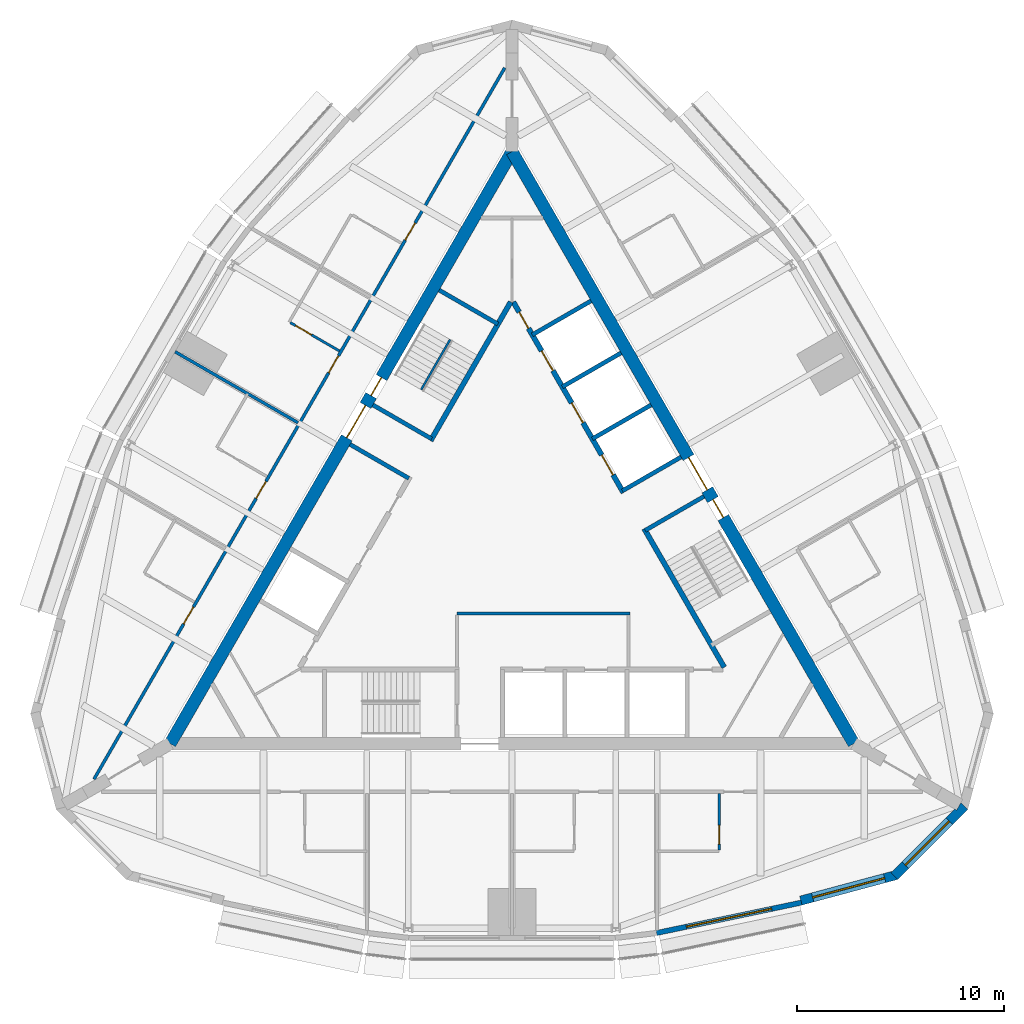
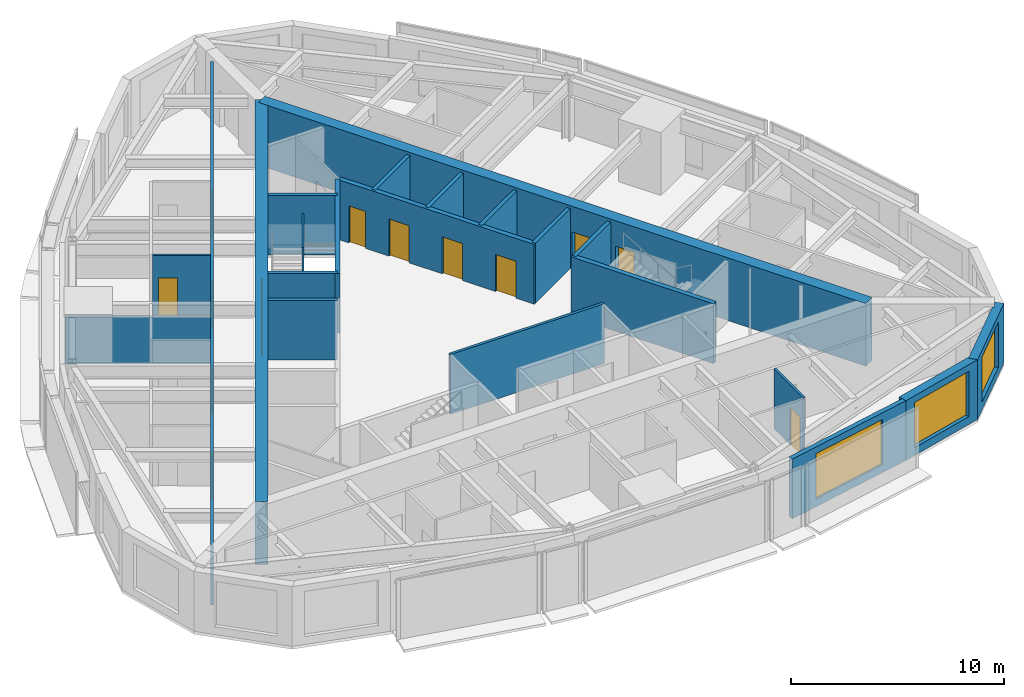
# One storey, part 9 of 12: 22 walls, 14 doors, 3 windows, 17 openings.
"""IFC4 building model written with IfcOpenShell, lengths in metres."""

from ifc_helpers import new_model, si_unit, direction, frame, frame_2d, origin, place, context, subcontext, project, spatial, polyline, rectangle, outline, extrude, material, layer, layer_set, type_object, element, fill, save


model = new_model("IFC4")

# Units and contexts
model_context = context("Model", 3, precision=1e-05, world=origin(), true_north=direction((0.0, 1.0)))
body_context = subcontext(model_context, "Body", "Model", "MODEL_VIEW")
ifc_project = project(units=[si_unit("LENGTHUNIT", "METRE"), si_unit("AREAUNIT", "SQUARE_METRE"), si_unit("VOLUMEUNIT", "CUBIC_METRE"), si_unit("PLANEANGLEUNIT", "RADIAN"), si_unit("MASSUNIT", "GRAM", prefix="KILO")], contexts=[model_context])

# Site, building, storey
site_placement = place(None, origin())
site = spatial("IfcSite", under=ifc_project, at=site_placement, CompositionType="ELEMENT")
building_placement = place(site_placement, origin())
building = spatial("IfcBuilding", under=site, at=building_placement, Name="Trikona Tower", CompositionType="ELEMENT")
storey_placement = place(building_placement, frame((0.0, 0.0, 246.5)))
storey = spatial("IfcBuildingStorey", under=building, at=storey_placement, Name="L65", CompositionType="ELEMENT", Elevation=246.5)

# Wall, opening, door
ifc_material_1 = material(Name="Metal stud and cement board", Category="gypsum")
ifc_layer_1 = layer(ifc_material_1, 0.1201171875)
ifc_layer_set_1 = layer_set([ifc_layer_1], Name="Bathroom wall 120")
wall_type_1 = type_object("IfcWallType", Name="Bathroom wall 120", PredefinedType="PLUMBINGWALL", material=ifc_layer_set_1)
wall_1_placement = place(storey_placement, frame((10.0, -11.92626953125, 0.0), z_axis=(0.0, 0.0, 1.0), x_axis=(0.0, -1.0, 0.0)))
wall_1 = element("IfcWall", 1, at=wall_1_placement, inside=storey, type_object=wall_type_1, Name="Bathroom wall 6503", PredefinedType="PLUMBINGWALL", context=body_context, shape_type="SweptSolid", body=[
    extrude(rectangle(XDim=2.739990234375, YDim=0.1201171875, at=frame_2d((1.3701171875, 0.0))), origin(), (0.0, 0.0, 1.0), 3.43505859375),
])
opening_1_placement = place(wall_1_placement, frame((1.550048828125, 0.0, 0.0)))
opening_1 = element("IfcOpeningElement", 2, at=opening_1_placement, cuts=wall_1, Name="Opening D2", PredefinedType="OPENING", context=body_context, shape_type="SweptSolid", body=[
    extrude(rectangle(XDim=0.89990234375, YDim=2.1298828125, at=frame_2d((0.449951171875, 1.06494140625))), frame((0.0, 0.070068359375, 0.0), z_axis=(0.0, -1.0, 0.0), x_axis=(1.0, 0.0, 0.0)), (0.0, 0.0, 1.0), 0.14013671875),
])
ifc_material_2 = material(Name="Steel door frame with solid-core timber leaf", Category="steel")
door_type_1 = type_object("IfcDoorType", Name="Bathroom door 900x2130", OperationType="SLIDING_TO_LEFT", PredefinedType="DOOR", material=ifc_material_2)
door_1_placement = place(opening_1_placement, origin())
door_1 = element("IfcDoor", 3, at=door_1_placement, inside=storey, type_object=door_type_1, Name="Bathroom door 6503", OperationType="SLIDING_TO_LEFT", OverallHeight=2.1298828125, OverallWidth=0.89990234375, PredefinedType="DOOR", context=body_context, shape_type="SweptSolid", body=[
    extrude(rectangle(XDim=0.89990234375, YDim=2.1298828125, at=frame_2d((0.449951171875, 1.06494140625))), frame((0.0, 0.02490234375, 0.0), z_axis=(0.0, -1.0, 0.0), x_axis=(1.0, 0.0, 0.0)), (0.0, 0.0, 1.0), 0.050048828125),
])
fill(opening_1, door_1)

wall_2_placement = place(storey_placement, frame((-8.32861328125, 9.42724609375, 0.0), z_axis=(0.0, 0.0, 1.0), x_axis=(-0.866035715982, 0.499982138324, 0.0)))
wall_2 = element("IfcWall", 4, at=wall_2_placement, inside=storey, type_object=wall_type_1, Name="Bathroom wall 6507", PredefinedType="PLUMBINGWALL", context=body_context, shape_type="SweptSolid", body=[
    extrude(rectangle(XDim=2.73974609375, YDim=0.1201171875, at=frame_2d((1.369873046875, 0.0))), origin(), (0.0, 0.0, 1.0), 3.43505859375),
])
opening_2_placement = place(wall_2_placement, frame((1.550048828125, 0.0, 0.0)))
opening_2 = element("IfcOpeningElement", 5, at=opening_2_placement, cuts=wall_2, Name="Opening D2", PredefinedType="OPENING", context=body_context, shape_type="SweptSolid", body=[
    extrude(rectangle(XDim=0.89990234375, YDim=2.1298828125, at=frame_2d((0.449951171875, 1.06494140625))), frame((0.0, 0.070068359375, 0.0), z_axis=(0.0, -1.0, 0.0), x_axis=(1.0, 0.0, 0.0)), (0.0, 0.0, 1.0), 0.14013671875),
])
door_2_placement = place(opening_2_placement, origin())
door_2 = element("IfcDoor", 6, at=door_2_placement, inside=storey, type_object=door_type_1, Name="Bathroom door 6507", OperationType="SLIDING_TO_LEFT", OverallHeight=2.1298828125, OverallWidth=0.89990234375, PredefinedType="DOOR", context=body_context, shape_type="SweptSolid", body=[
    extrude(rectangle(XDim=0.89990234375, YDim=2.1298828125, at=frame_2d((0.449951171875, 1.06494140625))), frame((0.0, 0.02490234375, 0.0), z_axis=(0.0, -1.0, 0.0), x_axis=(1.0, 0.0, 0.0)), (0.0, 0.0, 1.0), 0.050048828125),
])
fill(opening_2, door_2)

# Wall, opening, window
ifc_material_3 = material(Name="Brick-faced precast concrete", Category="masonry")
ifc_layer_2 = layer(ifc_material_3, 0.449951171875)
ifc_layer_set_2 = layer_set([ifc_layer_2], Name="Brick-faced corner wall 450")
wall_type_2 = type_object("IfcWallType", Name="Brick-faced corner wall 450", PredefinedType="SOLIDWALL", material=ifc_layer_set_2)
wall_3_placement = place(storey_placement, frame((13.94189453125, -17.103271484375, 0.0), z_axis=(0.0, 0.0, 1.0), x_axis=(0.965913862671, 0.258863689806, 0.0)))
wall_3 = element("IfcWall", 7, at=wall_3_placement, inside=storey, type_object=wall_type_2, Name="External wall L65-05", PredefinedType="SOLIDWALL", context=body_context, shape_type="SweptSolid", body=[
    extrude(rectangle(XDim=4.78173828125, YDim=0.449951171875, at=frame_2d((2.390869140625, 0.0))), origin(), (0.0, 0.0, 1.0), 3.43505859375),
])
opening_3_placement = place(wall_3_placement, frame((0.5908203125, 0.0, 0.449951171875)))
opening_3 = element("IfcOpeningElement", 8, at=opening_3_placement, cuts=wall_3, Name="Opening W3626", PredefinedType="OPENING", context=body_context, shape_type="SweptSolid", body=[
    extrude(rectangle(XDim=3.60009765625, YDim=2.60009765625, at=frame_2d((1.800048828125, 1.300048828125))), frame((0.0, 0.23486328125, 0.0), z_axis=(0.0, -1.0, 0.0), x_axis=(1.0, 0.0, 0.0)), (0.0, 0.0, 1.0), 0.469970703125),
])
ifc_material_4 = material(Name="Aluminium-framed double glazing", Category="aluminium")
window_type_1 = type_object("IfcWindowType", Name="Window 3600x2600", PartitioningType="SINGLE_PANEL", PredefinedType="WINDOW", material=ifc_material_4)
window_1_placement = place(opening_3_placement, origin())
window_1 = element("IfcWindow", 9, at=window_1_placement, inside=storey, type_object=window_type_1, Name="Window 6503", OverallHeight=2.60009765625, OverallWidth=3.60009765625, PartitioningType="SINGLE_PANEL", PredefinedType="WINDOW", context=body_context, shape_type="SweptSolid", body=[
    extrude(rectangle(XDim=3.60009765625, YDim=2.60009765625, at=frame_2d((1.800048828125, 1.300048828125))), frame((0.0, 0.030029296875, 0.0), z_axis=(0.0, -1.0, 0.0), x_axis=(1.0, 0.0, 0.0)), (0.0, 0.0, 1.0), 0.06005859375),
])
fill(opening_3, window_1)

wall_4_placement = place(storey_placement, frame((18.459716796875, -15.923828125, 0.0), z_axis=(0.0, 0.0, 1.0), x_axis=(0.707081252484, 0.707132308968, 0.0)))
wall_4 = element("IfcWall", 10, at=wall_4_placement, inside=storey, type_object=wall_type_2, Name="External wall L65-06", PredefinedType="SOLIDWALL", context=body_context, shape_type="SweptSolid", body=[
    extrude(outline(polyline([(4.78173828125, 0.22509765625), (4.722900390625, 0.22509765625), (4.37548828125, 0.1318359375), (4.3505859375, 0.22509765625), (0.0, 0.22509765625), (0.0, -0.22509765625), (4.78173828125, -0.22509765625), (4.78173828125, 0.22509765625)])), origin(), (0.0, 0.0, 1.0), 3.43505859375),
])
opening_4_placement = place(wall_4_placement, frame((0.750244140625, 0.0, 0.449951171875)))
opening_4 = element("IfcOpeningElement", 11, at=opening_4_placement, cuts=wall_4, Name="Opening W3026", PredefinedType="OPENING", context=body_context, shape_type="SweptSolid", body=[
    extrude(rectangle(XDim=3.0, YDim=2.60009765625, at=frame_2d((1.5, 1.300048828125))), frame((0.0, 0.23486328125, 0.0), z_axis=(0.0, -1.0, 0.0), x_axis=(1.0, 0.0, 0.0)), (0.0, 0.0, 1.0), 0.469970703125),
])
ifc_material_5 = material(Name="Aluminium-framed double glazing", Category="aluminium")
window_type_2 = type_object("IfcWindowType", Name="Window 3000x2600", PartitioningType="SINGLE_PANEL", PredefinedType="WINDOW", material=ifc_material_5)
window_2_placement = place(opening_4_placement, origin())
window_2 = element("IfcWindow", 12, at=window_2_placement, inside=storey, type_object=window_type_2, Name="Window 6503", OverallHeight=2.60009765625, OverallWidth=3.0, PartitioningType="SINGLE_PANEL", PredefinedType="WINDOW", context=body_context, shape_type="SweptSolid", body=[
    extrude(rectangle(XDim=3.0, YDim=2.60009765625, at=frame_2d((1.5, 1.300048828125))), frame((0.0, 0.030029296875, 0.0), z_axis=(0.0, -1.0, 0.0), x_axis=(1.0, 0.0, 0.0)), (0.0, 0.0, 1.0), 0.06005859375),
])
fill(opening_4, window_2)

# Wall, openings, doors
ifc_material_6 = material(Name="Concrete f'c 10000 psi", Category="concrete")
ifc_layer_3 = layer(ifc_material_6, 0.60009765625)
ifc_layer_set_3 = layer_set([ifc_layer_3], Name="Core wall 600")
wall_type_3 = type_object("IfcWallType", Name="Core wall 600", PredefinedType="SHEAR", material=ifc_layer_set_3)
wall_5_placement = place(storey_placement, frame((16.5, -9.5263671875, 0.0), z_axis=(0.0, 0.0, 1.0), x_axis=(-0.499999749417, 0.866025548458, 0.0)))
wall_5 = element("IfcWall", 13, at=wall_5_placement, inside=storey, type_object=wall_type_3, Name="Core wall B", PredefinedType="SHEAR", context=body_context, shape_type="SweptSolid", body=[
    extrude(rectangle(XDim=33.0, YDim=0.60009765625, at=frame_2d((16.5, 0.0))), origin(), (0.0, 0.0, 1.0), 3.60009765625),
])
opening_5_placement = place(wall_5_placement, frame((14.14990234375, 0.0, 0.0)))
opening_5 = element("IfcOpeningElement", 14, at=opening_5_placement, cuts=wall_5, Name="Opening D6", PredefinedType="OPENING", context=body_context, shape_type="SweptSolid", body=[
    extrude(rectangle(XDim=1.800048828125, YDim=2.1298828125, at=frame_2d((0.89990234375, 1.06494140625))), frame((0.0, 0.31005859375, 0.0), z_axis=(0.0, -1.0, 0.0), x_axis=(1.0, 0.0, 0.0)), (0.0, 0.0, 1.0), 0.6201171875),
])
opening_6_placement = place(wall_5_placement, frame((12.60009765625, 0.0, 0.0)))
opening_6 = element("IfcOpeningElement", 15, at=opening_6_placement, cuts=wall_5, Name="Opening D5", PredefinedType="OPENING", context=body_context, shape_type="SweptSolid", body=[
    extrude(rectangle(XDim=1.0, YDim=2.1298828125, at=frame_2d((0.5, 1.06494140625))), frame((0.0, 0.31005859375, 0.0), z_axis=(0.0, -1.0, 0.0), x_axis=(1.0, 0.0, 0.0)), (0.0, 0.0, 1.0), 0.6201171875),
])
ifc_material_7 = material(Name="Hollow metal door and frame", Category="steel")
door_type_2 = type_object("IfcDoorType", Name="Lobby door pair 1800x2130", OperationType="DOUBLE_DOOR_SINGLE_SWING", PredefinedType="DOOR", material=ifc_material_7)
door_3_placement = place(opening_5_placement, origin())
door_3 = element("IfcDoor", 16, at=door_3_placement, inside=storey, type_object=door_type_2, Name="Lift lobby door B", OperationType="DOUBLE_DOOR_SINGLE_SWING", OverallHeight=2.1298828125, OverallWidth=1.800048828125, PredefinedType="DOOR", context=body_context, shape_type="SweptSolid", body=[
    extrude(rectangle(XDim=1.800048828125, YDim=2.1298828125, at=frame_2d((0.89990234375, 1.06494140625))), frame((0.0, 0.02490234375, 0.0), z_axis=(0.0, -1.0, 0.0), x_axis=(1.0, 0.0, 0.0)), (0.0, 0.0, 1.0), 0.050048828125),
])
fill(opening_5, door_3)
ifc_material_8 = material(Name="Hollow metal door and frame", Category="steel")
door_type_3 = type_object("IfcDoorType", Name="Stair door 1000x2130", OperationType="SINGLE_SWING_LEFT", PredefinedType="DOOR", material=ifc_material_8)
door_4_placement = place(opening_6_placement, origin())
door_4 = element("IfcDoor", 17, at=door_4_placement, inside=storey, type_object=door_type_3, Name="Stair B door", OperationType="SINGLE_SWING_RIGHT", OverallHeight=2.1298828125, OverallWidth=1.0, PredefinedType="DOOR", context=body_context, shape_type="SweptSolid", body=[
    extrude(rectangle(XDim=1.0, YDim=2.1298828125, at=frame_2d((0.5, 1.06494140625))), frame((0.0, 0.02490234375, 0.0), z_axis=(0.0, -1.0, 0.0), x_axis=(1.0, 0.0, 0.0)), (0.0, 0.0, 1.0), 0.050048828125),
])
fill(opening_6, door_4)

wall_6_placement = place(storey_placement, frame((0.0, 19.052490234375, 0.0), z_axis=(0.0, 0.0, 1.0), x_axis=(-0.499999749417, -0.866025548458, 0.0)))
wall_6 = element("IfcWall", 18, at=wall_6_placement, inside=storey, type_object=wall_type_3, Name="Core wall C", PredefinedType="SHEAR", context=body_context, shape_type="SweptSolid", body=[
    extrude(rectangle(XDim=33.0, YDim=0.60009765625, at=frame_2d((16.5, 0.0))), origin(), (0.0, 0.0, 1.0), 3.60009765625),
])
opening_7_placement = place(wall_6_placement, frame((14.14990234375, 0.0, 0.0)))
opening_7 = element("IfcOpeningElement", 19, at=opening_7_placement, cuts=wall_6, Name="Opening D6", PredefinedType="OPENING", context=body_context, shape_type="SweptSolid", body=[
    extrude(rectangle(XDim=1.800048828125, YDim=2.1298828125, at=frame_2d((0.89990234375, 1.06494140625))), frame((0.0, 0.31005859375, 0.0), z_axis=(0.0, -1.0, 0.0), x_axis=(1.0, 0.0, 0.0)), (0.0, 0.0, 1.0), 0.6201171875),
])
opening_8_placement = place(wall_6_placement, frame((12.60009765625, 0.0, 0.0)))
opening_8 = element("IfcOpeningElement", 20, at=opening_8_placement, cuts=wall_6, Name="Opening D5", PredefinedType="OPENING", context=body_context, shape_type="SweptSolid", body=[
    extrude(rectangle(XDim=1.0, YDim=2.1298828125, at=frame_2d((0.5, 1.06494140625))), frame((0.0, 0.31005859375, 0.0), z_axis=(0.0, -1.0, 0.0), x_axis=(1.0, 0.0, 0.0)), (0.0, 0.0, 1.0), 0.6201171875),
])
door_5_placement = place(opening_7_placement, origin())
door_5 = element("IfcDoor", 21, at=door_5_placement, inside=storey, type_object=door_type_2, Name="Lift lobby door C", OperationType="DOUBLE_DOOR_SINGLE_SWING", OverallHeight=2.1298828125, OverallWidth=1.800048828125, PredefinedType="DOOR", context=body_context, shape_type="SweptSolid", body=[
    extrude(rectangle(XDim=1.800048828125, YDim=2.1298828125, at=frame_2d((0.89990234375, 1.06494140625))), frame((0.0, 0.02490234375, 0.0), z_axis=(0.0, -1.0, 0.0), x_axis=(1.0, 0.0, 0.0)), (0.0, 0.0, 1.0), 0.050048828125),
])
fill(opening_7, door_5)
door_6_placement = place(opening_8_placement, origin())
door_6 = element("IfcDoor", 22, at=door_6_placement, inside=storey, type_object=door_type_3, Name="Stair C door", OperationType="SINGLE_SWING_RIGHT", OverallHeight=2.1298828125, OverallWidth=1.0, PredefinedType="DOOR", context=body_context, shape_type="SweptSolid", body=[
    extrude(rectangle(XDim=1.0, YDim=2.1298828125, at=frame_2d((0.5, 1.06494140625))), frame((0.0, 0.02490234375, 0.0), z_axis=(0.0, -1.0, 0.0), x_axis=(1.0, 0.0, 0.0)), (0.0, 0.0, 1.0), 0.050048828125),
])
fill(opening_8, door_6)

ifc_material_9 = material(Name="Metal stud and gypsum board, 1-hour", Category="gypsum")
ifc_layer_4 = layer(ifc_material_9, 0.14990234375)
ifc_layer_set_4 = layer_set([ifc_layer_4], Name="Corridor wall 150")
wall_type_4 = type_object("IfcWallType", Name="Corridor wall 150", PredefinedType="PARTITIONING", material=ifc_layer_set_4)
wall_7_placement = place(storey_placement, frame((-0.35009765625, 23.09619140625, 0.0), z_axis=(0.0, 0.0, 1.0), x_axis=(-0.499998875317, -0.866026053119, 0.0)))
wall_7 = element("IfcWall", 23, at=wall_7_placement, inside=storey, type_object=wall_type_4, Name="Corridor wall L65-3", PredefinedType="PARTITIONING", context=body_context, shape_type="SweptSolid", body=[
    extrude(rectangle(XDim=39.65380859375, YDim=0.14990234375, at=frame_2d((19.826904296875, 0.0))), origin(), (0.0, 0.0, 1.0), 3.43505859375),
])
opening_9_placement = place(wall_7_placement, frame((8.652099609375, 0.0, 0.0)))
opening_9 = element("IfcOpeningElement", 24, at=opening_9_placement, cuts=wall_7, Name="Opening D1", PredefinedType="OPENING", context=body_context, shape_type="SweptSolid", body=[
    extrude(rectangle(XDim=0.949951171875, YDim=2.1298828125, at=frame_2d((0.47509765625, 1.06494140625))), frame((0.0, 0.0849609375, 0.0), z_axis=(0.0, -1.0, 0.0), x_axis=(1.0, 0.0, 0.0)), (0.0, 0.0, 1.0), 0.169921875),
])
opening_10_placement = place(wall_7_placement, frame((16.052001953125, 0.0, 0.0)))
opening_10 = element("IfcOpeningElement", 25, at=opening_10_placement, cuts=wall_7, Name="Opening D1", PredefinedType="OPENING", context=body_context, shape_type="SweptSolid", body=[
    extrude(rectangle(XDim=0.949951171875, YDim=2.1298828125, at=frame_2d((0.47509765625, 1.06494140625))), frame((0.0, 0.0849609375, 0.0), z_axis=(0.0, -1.0, 0.0), x_axis=(1.0, 0.0, 0.0)), (0.0, 0.0, 1.0), 0.169921875),
])
opening_11_placement = place(wall_7_placement, frame((23.052001953125, 0.0, 0.0)))
opening_11 = element("IfcOpeningElement", 26, at=opening_11_placement, cuts=wall_7, Name="Opening D1", PredefinedType="OPENING", context=body_context, shape_type="SweptSolid", body=[
    extrude(rectangle(XDim=0.949951171875, YDim=2.1298828125, at=frame_2d((0.47509765625, 1.06494140625))), frame((0.0, 0.0849609375, 0.0), z_axis=(0.0, -1.0, 0.0), x_axis=(1.0, 0.0, 0.0)), (0.0, 0.0, 1.0), 0.169921875),
])
opening_12_placement = place(wall_7_placement, frame((30.052001953125, 0.0, 0.0)))
opening_12 = element("IfcOpeningElement", 27, at=opening_12_placement, cuts=wall_7, Name="Opening D1", PredefinedType="OPENING", context=body_context, shape_type="SweptSolid", body=[
    extrude(rectangle(XDim=0.949951171875, YDim=2.1298828125, at=frame_2d((0.47509765625, 1.06494140625))), frame((0.0, 0.0849609375, 0.0), z_axis=(0.0, -1.0, 0.0), x_axis=(1.0, 0.0, 0.0)), (0.0, 0.0, 1.0), 0.169921875),
])
ifc_material_10 = material(Name="Steel door frame with solid-core timber leaf", Category="steel")
door_type_4 = type_object("IfcDoorType", Name="Guest room door 950x2130", OperationType="SINGLE_SWING_LEFT", PredefinedType="DOOR", material=ifc_material_10)
door_7_placement = place(opening_9_placement, origin())
door_7 = element("IfcDoor", 28, at=door_7_placement, inside=storey, type_object=door_type_4, Name="Room door 6506", OperationType="SINGLE_SWING_LEFT", OverallHeight=2.1298828125, OverallWidth=0.949951171875, PredefinedType="DOOR", context=body_context, shape_type="SweptSolid", body=[
    extrude(rectangle(XDim=0.949951171875, YDim=2.1298828125, at=frame_2d((0.47509765625, 1.06494140625))), frame((0.0, 0.02490234375, 0.0), z_axis=(0.0, -1.0, 0.0), x_axis=(1.0, 0.0, 0.0)), (0.0, 0.0, 1.0), 0.050048828125),
])
fill(opening_9, door_7)
door_8_placement = place(opening_10_placement, origin())
door_8 = element("IfcDoor", 29, at=door_8_placement, inside=storey, type_object=door_type_4, Name="Room door 6507", OperationType="SINGLE_SWING_RIGHT", OverallHeight=2.1298828125, OverallWidth=0.949951171875, PredefinedType="DOOR", context=body_context, shape_type="SweptSolid", body=[
    extrude(rectangle(XDim=0.949951171875, YDim=2.1298828125, at=frame_2d((0.47509765625, 1.06494140625))), frame((0.0, 0.02490234375, 0.0), z_axis=(0.0, -1.0, 0.0), x_axis=(1.0, 0.0, 0.0)), (0.0, 0.0, 1.0), 0.050048828125),
])
fill(opening_10, door_8)
door_9_placement = place(opening_11_placement, origin())
door_9 = element("IfcDoor", 30, at=door_9_placement, inside=storey, type_object=door_type_4, Name="Room door 6508", OperationType="SINGLE_SWING_LEFT", OverallHeight=2.1298828125, OverallWidth=0.949951171875, PredefinedType="DOOR", context=body_context, shape_type="SweptSolid", body=[
    extrude(rectangle(XDim=0.949951171875, YDim=2.1298828125, at=frame_2d((0.47509765625, 1.06494140625))), frame((0.0, 0.02490234375, 0.0), z_axis=(0.0, -1.0, 0.0), x_axis=(1.0, 0.0, 0.0)), (0.0, 0.0, 1.0), 0.050048828125),
])
fill(opening_11, door_9)
door_10_placement = place(opening_12_placement, origin())
door_10 = element("IfcDoor", 31, at=door_10_placement, inside=storey, type_object=door_type_4, Name="Room door 6509", OperationType="SINGLE_SWING_RIGHT", OverallHeight=2.1298828125, OverallWidth=0.949951171875, PredefinedType="DOOR", context=body_context, shape_type="SweptSolid", body=[
    extrude(rectangle(XDim=0.949951171875, YDim=2.1298828125, at=frame_2d((0.47509765625, 1.06494140625))), frame((0.0, 0.02490234375, 0.0), z_axis=(0.0, -1.0, 0.0), x_axis=(1.0, 0.0, 0.0)), (0.0, 0.0, 1.0), 0.050048828125),
])
fill(opening_12, door_10)

# Wall
ifc_material_11 = material(Name="Concrete f'c 8000 psi", Category="concrete")
ifc_layer_5 = layer(ifc_material_11, 0.25)
ifc_layer_set_5 = layer_set([ifc_layer_5], Name="Hub wall 250")
wall_type_5 = type_object("IfcWallType", Name="Hub wall 250", PredefinedType="SOLIDWALL", material=ifc_layer_set_5)
wall_8_placement = place(storey_placement, frame((10.245361328125, -5.843017578125, 0.0), z_axis=(0.0, 0.0, 1.0), x_axis=(-0.499993009313, 0.866029439822, 0.0)))
element("IfcWall", 32, at=wall_8_placement, inside=storey, type_object=wall_type_5, Name="Lift lobby wall B1", PredefinedType="SOLIDWALL", context=body_context, shape_type="SweptSolid", body=[
    extrude(rectangle(XDim=7.73291015625, YDim=0.25, at=frame_2d((3.866455078125, 0.0))), origin(), (0.0, 0.0, 1.0), 3.43505859375),
])

# Wall, openings, doors
wall_9_placement = place(storey_placement, frame((5.37890625, 2.5859375, 0.0), z_axis=(0.0, 0.0, 1.0), x_axis=(-0.500001375892, 0.866024609411, 0.0)))
wall_9 = element("IfcWall", 33, at=wall_9_placement, inside=storey, type_object=wall_type_5, Name="Lift lobby wall B2", PredefinedType="SOLIDWALL", context=body_context, shape_type="SweptSolid", body=[
    extrude(rectangle(XDim=10.6328125, YDim=0.25, at=frame_2d((5.31640625, 0.0))), origin(), (0.0, 0.0, 1.0), 3.43505859375),
])
opening_13_placement = place(wall_9_placement, frame((9.1640625, 0.0, 0.0)))
opening_13 = element("IfcOpeningElement", 34, at=opening_13_placement, cuts=wall_9, Name="Opening D14", PredefinedType="OPENING", context=body_context, shape_type="SweptSolid", body=[
    extrude(rectangle(XDim=0.89990234375, YDim=2.1298828125, at=frame_2d((0.449951171875, 1.06494140625))), frame((0.0, 0.135009765625, 0.0), z_axis=(0.0, -1.0, 0.0), x_axis=(1.0, 0.0, 0.0)), (0.0, 0.0, 1.0), 0.27001953125),
])
opening_14_placement = place(wall_9_placement, frame((1.0, 0.0, 0.0)))
opening_14 = element("IfcOpeningElement", 35, at=opening_14_placement, cuts=wall_9, Name="Opening LD", PredefinedType="OPENING", context=body_context, shape_type="SweptSolid", body=[
    extrude(rectangle(XDim=1.10009765625, YDim=2.1298828125, at=frame_2d((0.550048828125, 1.06494140625))), frame((0.0, 0.135009765625, 0.0), z_axis=(0.0, -1.0, 0.0), x_axis=(1.0, 0.0, 0.0)), (0.0, 0.0, 1.0), 0.27001953125),
])
opening_15_placement = place(wall_9_placement, frame((3.89990234375, 0.0, 0.0)))
opening_15 = element("IfcOpeningElement", 36, at=opening_15_placement, cuts=wall_9, Name="Opening LD", PredefinedType="OPENING", context=body_context, shape_type="SweptSolid", body=[
    extrude(rectangle(XDim=1.10009765625, YDim=2.1298828125, at=frame_2d((0.550048828125, 1.06494140625))), frame((0.0, 0.135009765625, 0.0), z_axis=(0.0, -1.0, 0.0), x_axis=(1.0, 0.0, 0.0)), (0.0, 0.0, 1.0), 0.27001953125),
])
opening_16_placement = place(wall_9_placement, frame((6.800048828125, 0.0, 0.0)))
opening_16 = element("IfcOpeningElement", 37, at=opening_16_placement, cuts=wall_9, Name="Opening LD", PredefinedType="OPENING", context=body_context, shape_type="SweptSolid", body=[
    extrude(rectangle(XDim=1.10009765625, YDim=2.1298828125, at=frame_2d((0.550048828125, 1.06494140625))), frame((0.0, 0.135009765625, 0.0), z_axis=(0.0, -1.0, 0.0), x_axis=(1.0, 0.0, 0.0)), (0.0, 0.0, 1.0), 0.27001953125),
])
ifc_material_12 = material(Name="Stainless steel lift landing door", Category="steel")
door_type_5 = type_object("IfcDoorType", Name="Lift landing door 1100x2130", OperationType="DOUBLE_DOOR_SLIDING", PredefinedType="USERDEFINED", material=ifc_material_12)
door_11_placement = place(opening_14_placement, origin())
door_11 = element("IfcDoor", 38, at=door_11_placement, inside=storey, type_object=door_type_5, Name="Lift landing door L3-1", ObjectType="LIFT LANDING DOOR", OperationType="DOUBLE_DOOR_SLIDING", OverallHeight=2.1298828125, OverallWidth=1.10009765625, PredefinedType="USERDEFINED", context=body_context, shape_type="SweptSolid", body=[
    extrude(rectangle(XDim=1.10009765625, YDim=2.1298828125, at=frame_2d((0.550048828125, 1.06494140625))), frame((0.0, 0.02490234375, 0.0), z_axis=(0.0, -1.0, 0.0), x_axis=(1.0, 0.0, 0.0)), (0.0, 0.0, 1.0), 0.050048828125),
])
fill(opening_14, door_11)
door_12_placement = place(opening_15_placement, origin())
door_12 = element("IfcDoor", 39, at=door_12_placement, inside=storey, type_object=door_type_5, Name="Lift landing door L3-2", ObjectType="LIFT LANDING DOOR", OperationType="DOUBLE_DOOR_SLIDING", OverallHeight=2.1298828125, OverallWidth=1.10009765625, PredefinedType="USERDEFINED", context=body_context, shape_type="SweptSolid", body=[
    extrude(rectangle(XDim=1.10009765625, YDim=2.1298828125, at=frame_2d((0.550048828125, 1.06494140625))), frame((0.0, 0.02490234375, 0.0), z_axis=(0.0, -1.0, 0.0), x_axis=(1.0, 0.0, 0.0)), (0.0, 0.0, 1.0), 0.050048828125),
])
fill(opening_15, door_12)
door_13_placement = place(opening_16_placement, origin())
door_13 = element("IfcDoor", 40, at=door_13_placement, inside=storey, type_object=door_type_5, Name="Lift landing door L3-3", ObjectType="LIFT LANDING DOOR", OperationType="DOUBLE_DOOR_SLIDING", OverallHeight=2.1298828125, OverallWidth=1.10009765625, PredefinedType="USERDEFINED", context=body_context, shape_type="SweptSolid", body=[
    extrude(rectangle(XDim=1.10009765625, YDim=2.1298828125, at=frame_2d((0.550048828125, 1.06494140625))), frame((0.0, 0.02490234375, 0.0), z_axis=(0.0, -1.0, 0.0), x_axis=(1.0, 0.0, 0.0)), (0.0, 0.0, 1.0), 0.050048828125),
])
fill(opening_16, door_13)
ifc_material_13 = material(Name="Hollow metal door and frame", Category="steel")
door_type_6 = type_object("IfcDoorType", Name="Service room door 900x2130", OperationType="SINGLE_SWING_LEFT", PredefinedType="DOOR", material=ifc_material_13)
door_14_placement = place(opening_13_placement, origin())
door_14 = element("IfcDoor", 41, at=door_14_placement, inside=storey, type_object=door_type_6, Name="Door Ice and vending ICE", OperationType="SINGLE_SWING_RIGHT", OverallHeight=2.1298828125, OverallWidth=0.89990234375, PredefinedType="DOOR", context=body_context, shape_type="SweptSolid", body=[
    extrude(rectangle(XDim=0.89990234375, YDim=2.1298828125, at=frame_2d((0.449951171875, 1.06494140625))), frame((0.0, 0.02490234375, 0.0), z_axis=(0.0, -1.0, 0.0), x_axis=(1.0, 0.0, 0.0)), (0.0, 0.0, 1.0), 0.050048828125),
])
fill(opening_13, door_14)

# Wall
wall_10_placement = place(storey_placement, frame((-0.0625, 11.794189453125, 0.0), z_axis=(0.0, 0.0, 1.0), x_axis=(-0.500006680225, -0.86602154692, 0.0)))
element("IfcWall", 42, at=wall_10_placement, inside=storey, type_object=wall_type_5, Name="Lift lobby wall C1", PredefinedType="SOLIDWALL", context=body_context, shape_type="SweptSolid", body=[
    extrude(rectangle(XDim=7.73291015625, YDim=0.25, at=frame_2d((3.866455078125, 0.0))), origin(), (0.0, 0.0, 1.0), 3.43505859375),
])

# Wall, opening, window
ifc_material_14 = material(Name="Insulated precast concrete spandrel panel", Category="concrete")
ifc_layer_6 = layer(ifc_material_14, 0.25)
ifc_layer_set_6 = layer_set([ifc_layer_6], Name="Inner skin wall 250")
wall_type_6 = type_object("IfcWallType", Name="Inner skin wall 250", PredefinedType="STANDARD", material=ifc_layer_set_6)
wall_11_placement = place(storey_placement, frame((6.974365234375, -18.668212890625, 0.0), z_axis=(0.0, 0.0, 1.0), x_axis=(0.978654320409, 0.205513311355, 0.0)))
wall_11 = element("IfcWall", 43, at=wall_11_placement, inside=storey, type_object=wall_type_6, Name="External wall L65-04", PredefinedType="STANDARD", context=body_context, shape_type="SweptSolid", body=[
    extrude(rectangle(XDim=7.152587890625, YDim=0.25, at=frame_2d((3.576171875, 0.0))), origin(), (0.0, 0.0, 1.0), 3.43505859375),
])
opening_17_placement = place(wall_11_placement, frame((1.476318359375, 0.0, 0.449951171875)))
opening_17 = element("IfcOpeningElement", 44, at=opening_17_placement, cuts=wall_11, Name="Opening W4226", PredefinedType="OPENING", context=body_context, shape_type="SweptSolid", body=[
    extrude(rectangle(XDim=4.199951171875, YDim=2.60009765625, at=frame_2d((2.10009765625, 1.300048828125))), frame((0.0, 0.135009765625, 0.0), z_axis=(0.0, -1.0, 0.0), x_axis=(1.0, 0.0, 0.0)), (0.0, 0.0, 1.0), 0.27001953125),
])
ifc_material_15 = material(Name="Aluminium-framed double glazing", Category="aluminium")
window_type_3 = type_object("IfcWindowType", Name="Window 4200x2600", PartitioningType="SINGLE_PANEL", PredefinedType="WINDOW", material=ifc_material_15)
window_3_placement = place(opening_17_placement, origin())
window_3 = element("IfcWindow", 45, at=window_3_placement, inside=storey, type_object=window_type_3, Name="Window 6503", OverallHeight=2.60009765625, OverallWidth=4.199951171875, PartitioningType="SINGLE_PANEL", PredefinedType="WINDOW", context=body_context, shape_type="SweptSolid", body=[
    extrude(rectangle(XDim=4.199951171875, YDim=2.60009765625, at=frame_2d((2.10009765625, 1.300048828125))), frame((0.0, 0.030029296875, 0.0), z_axis=(0.0, -1.0, 0.0), x_axis=(1.0, 0.0, 0.0)), (0.0, 0.0, 1.0), 0.06005859375),
])
fill(opening_17, window_3)

# Walls
ifc_material_16 = material(Name="Metal stud and gypsum board, 2-hour shaft wall", Category="gypsum")
ifc_layer_7 = layer(ifc_material_16, 0.14990234375)
ifc_layer_set_7 = layer_set([ifc_layer_7], Name="Lobby wall 150")
wall_type_7 = type_object("IfcWallType", Name="Lobby wall 150", PredefinedType="PARTITIONING", material=ifc_layer_set_7)
wall_12_placement = place(storey_placement, frame((-2.64990234375, -3.251220703125, 0.0), z_axis=(0.0, 0.0, 1.0), x_axis=(1.0, 0.0, 0.0)))
element("IfcWall", 46, at=wall_12_placement, inside=storey, type_object=wall_type_7, Name="Fire service lift lobby wall 1", PredefinedType="PARTITIONING", context=body_context, shape_type="SweptSolid", body=[
    extrude(rectangle(XDim=8.349853515625, YDim=0.14990234375, at=frame_2d((4.1748046875, 0.0))), origin(), (0.0, 0.0, 1.0), 3.43505859375),
])
ifc_material_17 = material(Name="Metal stud and gypsum board, 1-hour acoustic", Category="gypsum")
ifc_layer_8 = layer(ifc_material_17, 0.14990234375)
ifc_layer_set_8 = layer_set([ifc_layer_8], Name="Party wall 150")
wall_type_8 = type_object("IfcWallType", Name="Party wall 150", PredefinedType="PARTITIONING", material=ifc_layer_set_8)
wall_13_placement = place(storey_placement, frame((-10.32861328125, 5.963134765625, 0.0), z_axis=(0.0, 0.0, 1.0), x_axis=(-0.866011785882, 0.500023586156, 0.0)))
element("IfcWall", 47, at=wall_13_placement, inside=storey, type_object=wall_type_8, Name="Partition L65 F3 u0", PredefinedType="PARTITIONING", context=body_context, shape_type="SweptSolid", body=[
    extrude(rectangle(XDim=6.854248046875, YDim=0.14990234375, at=frame_2d((3.42724609375, 0.0))), origin(), (0.0, 0.0, 1.0), 2.677978515625),
])
ifc_material_18 = material(Name="Concrete f'c 8000 psi", Category="concrete")
ifc_layer_9 = layer(ifc_material_18, 0.199951171875)
ifc_layer_set_9 = layer_set([ifc_layer_9], Name="Shaft wall 200")
wall_type_9 = type_object("IfcWallType", Name="Shaft wall 200", PredefinedType="SOLIDWALL", material=ifc_layer_set_9)
for number, where, z_axis, x_axis, name in (
    (48, (5.3291015625, 2.672607421875, 0.0), (0.0, 0.0, 1.0), (0.866027924134, 0.499995634601, 0.0), "Shaft wall B3"),
    (49, (3.87890625, 5.18408203125, 0.0), (0.0, 0.0, 1.0), (0.866027924134, 0.499995634601, 0.0), "Shaft wall B4"),
    (50, (2.428955078125, 7.695556640625, 0.0), (0.0, 0.0, 1.0), (0.866027924134, 0.499995634601, 0.0), "Shaft wall B5"),
    (51, (0.97900390625, 10.20703125, 0.0), (0.0, 0.0, 1.0), (0.866027924134, 0.499995634601, 0.0), "Shaft wall B6"),
    (52, (-4.97900390625, 3.27880859375, 0.0), (0.0, 0.0, 1.0), (-0.866027924134, 0.499995634601, 0.0), "Shaft wall C3"),
):
    element("IfcWall", number, at=place(storey_placement, frame(where, z_axis=z_axis, x_axis=x_axis)), inside=storey, type_object=wall_type_9, Name=name, PredefinedType="SOLIDWALL", context=body_context, shape_type="SweptSolid", body=[
        extrude(rectangle(XDim=3.27490234375, YDim=0.199951171875, at=frame_2d((1.637451171875, 0.0))), origin(), (0.0, 0.0, 1.0), 3.43505859375),
    ])
ifc_material_19 = material(Name="Concrete f'c 8000 psi", Category="concrete")
ifc_layer_10 = layer(ifc_material_19, 0.199951171875)
ifc_layer_set_10 = layer_set([ifc_layer_10], Name="Shaft wall 200 load-bearing")
wall_type_10 = type_object("IfcWallType", Name="Shaft wall 200 load-bearing", PredefinedType="SOLIDWALL", material=ifc_layer_set_10)
for number, where, z_axis, x_axis, name in (
    (53, (6.428955078125, 0.767333984375, 0.0), (0.0, 0.0, 1.0), (0.866027924134, 0.499995634601, 0.0), "Shaft wall B2"),
    (54, (-0.678955078125, 10.7265625, 0.0), (0.0, 0.0, 1.0), (-0.866027924134, 0.499995634601, 0.0), "Shaft wall C1"),
    (55, (-3.87890625, 5.18408203125, 0.0), (0.0, 0.0, 1.0), (-0.866027924134, 0.499995634601, 0.0), "Shaft wall C2"),
):
    element("IfcWall", number, at=place(storey_placement, frame(where, z_axis=z_axis, x_axis=x_axis)), inside=storey, type_object=wall_type_10, Name=name, PredefinedType="SOLIDWALL", context=body_context, shape_type="SweptSolid", body=[
        extrude(rectangle(XDim=3.27490234375, YDim=0.199951171875, at=frame_2d((1.637451171875, 0.0))), origin(), (0.0, 0.0, 1.0), 3.43505859375),
    ])
ifc_material_20 = material(Name="Concrete f'c 5000 psi", Category="concrete")
ifc_layer_11 = layer(ifc_material_20, 0.10009765625)
ifc_layer_set_11 = layer_set([ifc_layer_11], Name="Stair spine wall 100")
wall_type_11 = type_object("IfcWallType", Name="Stair spine wall 100", PredefinedType="SOLIDWALL", material=ifc_layer_set_11)
wall_14_placement = place(storey_placement, frame((-2.98779296875, 9.9775390625, 0.0), z_axis=(0.0, 0.0, 1.0), x_axis=(-0.499992232847, -0.866029888106, 0.0)))
element("IfcWall", 56, at=wall_14_placement, inside=storey, type_object=wall_type_11, Name="Stair C spine wall L65", PredefinedType="SOLIDWALL", context=body_context, shape_type="SweptSolid", body=[
    extrude(rectangle(XDim=2.7939453125, YDim=0.10009765625, at=frame_2d((1.39697265625, 0.0))), origin(), (0.0, 0.0, 1.0), 3.60009765625),
])

save(model, "model.ifc")
